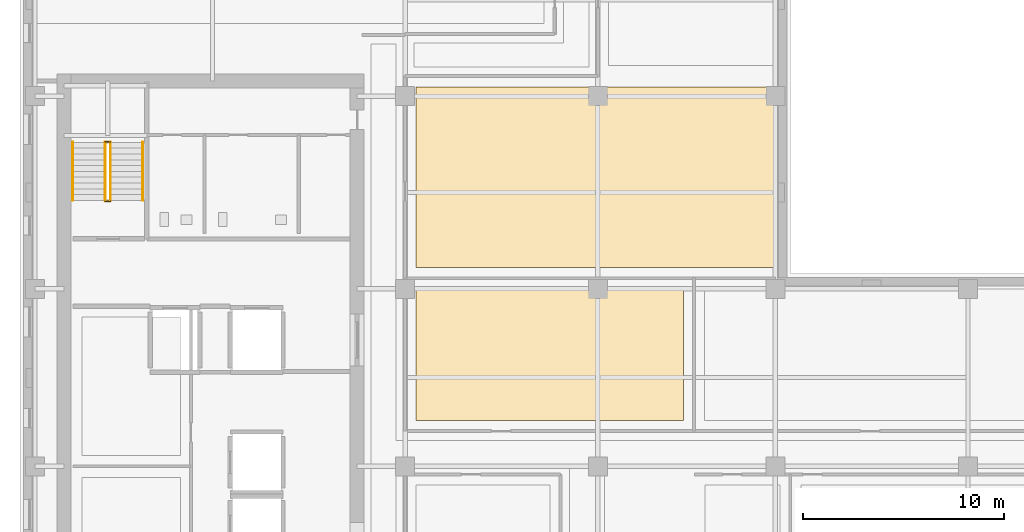
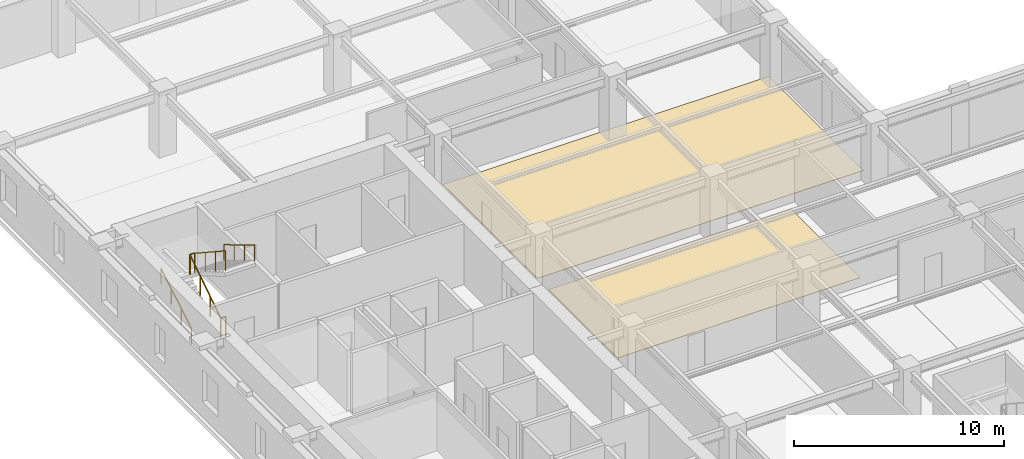
# One storey, part 10 of 12: 6 railings, 2 coverings.
"""IFC4 building model written with IfcOpenShell, lengths in metres."""

from ifc_helpers import new_model, si_unit, direction, frame, origin, origin_2d, place, context, subcontext, project, spatial, polyline, circle, outline, extrude, material, layer, layer_set, type_object, element, save


model = new_model("IFC4")

# Units and contexts
model_context = context("Model", 3, precision=1e-05, world=origin(), true_north=direction((0.0, 1.0)))
body_context = subcontext(model_context, "Body", "Model", "MODEL_VIEW")
ifc_project = project(units=[si_unit("LENGTHUNIT", "METRE"), si_unit("AREAUNIT", "SQUARE_METRE"), si_unit("VOLUMEUNIT", "CUBIC_METRE"), si_unit("PLANEANGLEUNIT", "RADIAN"), si_unit("MASSUNIT", "GRAM", prefix="KILO")], contexts=[model_context])

# Site, building, storey
site_placement = place(None, origin())
site = spatial("IfcSite", under=ifc_project, at=site_placement, CompositionType="ELEMENT")
building_placement = place(site_placement, origin())
building = spatial("IfcBuilding", under=site, at=building_placement, Name="Norrvale University Quadrangle", CompositionType="ELEMENT")
storey_placement = place(building_placement, frame((0.0, 0.0, 186.39990234375)))
storey = spatial("IfcBuildingStorey", under=building, at=storey_placement, Name="L47", CompositionType="ELEMENT", Elevation=186.39990234375)

# Coverings
ifc_material_1 = material(Name="Polished Terrazzo Flooring")
ifc_layer = layer(ifc_material_1, 0.02490234375, Name="Polished Terrazzo Flooring")
ifc_layer_set = layer_set([ifc_layer], Name="Polished Terrazzo Flooring")
covering_type = type_object("IfcCoveringType", Name="Covering Terrazzo Floor 30", PredefinedType="FLOORING", material=ifc_layer_set)
covering_1_placement = place(storey_placement, origin())
element("IfcCovering", 1, at=covering_1_placement, inside=storey, type_object=covering_type, Name="Terrazzo Flooring RM-L47-ME01", PredefinedType="FLOORING", context=body_context, shape_type="SweptSolid", body=[
    extrude(outline(polyline([(19.72998046875, 37.64990234375), (33.070068359375, 37.64990234375), (33.070068359375, 31.080078125), (19.72998046875, 31.080078125), (19.72998046875, 37.64990234375)])), origin(), (0.0, 0.0, 1.0), 0.025146484375),
])
covering_2_placement = place(storey_placement, origin())
element("IfcCovering", 2, at=covering_2_placement, inside=storey, type_object=covering_type, Name="Terrazzo Flooring RM-L47-MNE01", PredefinedType="FLOORING", context=body_context, shape_type="SweptSolid", body=[
    extrude(outline(polyline([(19.72998046875, 47.719970703125), (37.64990234375, 47.719970703125), (37.64990234375, 38.7099609375), (19.72998046875, 38.7099609375), (19.72998046875, 47.719970703125)])), origin(), (0.0, 0.0, 1.0), 0.025146484375),
])

# Railings
ifc_material_2 = material(Name="Steel 350W Painted Balustrade", Category="steel")
railing_type_1 = type_object("IfcRailingType", Name="Railing Stair Guard 1100", PredefinedType="GUARDRAIL", material=ifc_material_2)
for number, where, name in (
    (3, (4.239990234375, 42.02001953125, 0.0), "Stair Floor Well Guard ST-02 L47"),
    (4, (4.239990234375, 44.97998046875, 1.900146484375), "Stair Mid-Landing Slot Guard ST-02 L47"),
):
    element("IfcRailing", number, at=place(storey_placement, frame(where)), inside=storey, type_object=railing_type_1, Name=name, PredefinedType="GUARDRAIL", context=body_context, shape_type="SweptSolid", body=[
        extrude(circle(Radius=0.02392578125, at=origin_2d()), frame((0.0, 0.0, 1.1259765625), z_axis=(1.0, 0.0, 0.0), x_axis=(0.0, 1.0, 0.0)), (0.0, 0.0, 1.0), 0.27001953125),
        extrude(circle(Radius=0.02099609375, at=origin_2d()), origin(), (0.0, 0.0, 1.0), 1.101806640625),
        extrude(circle(Radius=0.02099609375, at=origin_2d()), frame((0.27001953125, 0.0, 0.0)), (0.0, 0.0, 1.0), 1.101806640625),
    ])
railing_1_placement = place(storey_placement, frame((4.239990234375, 42.050048828125, 0.0)))
element("IfcRailing", 5, at=railing_1_placement, inside=storey, type_object=railing_type_1, Name="Stair Lower Flight Inner Guard ST-02 L47", PredefinedType="GUARDRAIL", context=body_context, shape_type="SweptSolid", body=[
    extrude(circle(Radius=0.02392578125, at=origin_2d()), frame((0.0, 0.0, 1.1259765625), z_axis=(0.0, 0.836433300813, 0.548068730445), x_axis=(-1.0, 0.0, 0.0)), (0.0, 0.0, 1.0), 3.467041015625),
    extrude(circle(Radius=0.02099609375, at=origin_2d()), origin(), (0.0, 0.0, 1.0), 1.101806640625),
    extrude(circle(Radius=0.02099609375, at=origin_2d()), frame((0.0, 0.966552734375, 0.63330078125)), (0.0, 0.0, 1.0), 1.101806640625),
    extrude(circle(Radius=0.02099609375, at=origin_2d()), frame((0.0, 1.933349609375, 1.266845703125)), (0.0, 0.0, 1.0), 1.101806640625),
    extrude(circle(Radius=0.02099609375, at=origin_2d()), frame((0.0, 2.89990234375, 1.900146484375)), (0.0, 0.0, 1.0), 1.101806640625),
])
railing_2_placement = place(storey_placement, frame((4.510009765625, 44.949951171875, 1.900146484375)))
element("IfcRailing", 6, at=railing_2_placement, inside=storey, type_object=railing_type_1, Name="Stair Upper Flight Inner Guard ST-02 L47", PredefinedType="GUARDRAIL", context=body_context, shape_type="SweptSolid", body=[
    extrude(circle(Radius=0.02392578125, at=origin_2d()), frame((0.0, 0.0, 1.1259765625), z_axis=(0.0, -0.836465582154, 0.548019461216), x_axis=(1.0, 0.0, 0.0)), (0.0, 0.0, 1.0), 3.466796875),
    extrude(circle(Radius=0.02099609375, at=origin_2d()), origin(), (0.0, 0.0, 1.0), 1.101806640625),
    extrude(circle(Radius=0.02099609375, at=origin_2d()), frame((0.0, -0.966552734375, 0.63330078125)), (0.0, 0.0, 1.0), 1.101806640625),
    extrude(circle(Radius=0.02099609375, at=origin_2d()), frame((0.0, -1.933349609375, 1.2666015625)), (0.0, 0.0, 1.0), 1.101806640625),
    extrude(circle(Radius=0.02099609375, at=origin_2d()), frame((0.0, -2.89990234375, 1.89990234375)), (0.0, 0.0, 1.0), 1.101806640625),
])
ifc_material_3 = material(Name="Stainless Steel 316L Handrail", Category="steel")
railing_type_2 = type_object("IfcRailingType", Name="Railing Stair Handrail 920", PredefinedType="HANDRAIL", material=ifc_material_3)
railing_3_placement = place(storey_placement, frame((2.639892578125, 42.050048828125, 0.1728515625)))
element("IfcRailing", 7, at=railing_3_placement, inside=storey, type_object=railing_type_2, Name="Stair Lower Flight Handrail ST-02 L47", PredefinedType="HANDRAIL", context=body_context, shape_type="SweptSolid", body=[
    extrude(circle(Radius=0.02392578125, at=origin_2d()), frame((0.0, 0.0, 0.89599609375), z_axis=(0.0, 0.859141464434, 0.511738159696), x_axis=(-1.0, 0.0, 0.0)), (0.0, 0.0, 1.0), 3.375244140625),
    extrude(circle(Radius=0.02099609375, at=origin_2d()), origin(), (0.0, 0.0, 1.0), 0.871826171875),
    extrude(circle(Radius=0.02099609375, at=origin_2d()), frame((0.0, 0.966552734375, 0.57568359375)), (0.0, 0.0, 1.0), 0.871826171875),
    extrude(circle(Radius=0.02099609375, at=origin_2d()), frame((0.0, 1.933349609375, 1.151611328125)), (0.0, 0.0, 1.0), 0.871826171875),
    extrude(circle(Radius=0.02099609375, at=origin_2d()), frame((0.0, 2.89990234375, 1.727294921875)), (0.0, 0.0, 1.0), 0.871826171875),
])
railing_4_placement = place(storey_placement, frame((6.110107421875, 44.949951171875, 2.07275390625)))
element("IfcRailing", 8, at=railing_4_placement, inside=storey, type_object=railing_type_2, Name="Stair Upper Flight Handrail ST-02 L47", PredefinedType="HANDRAIL", context=body_context, shape_type="SweptSolid", body=[
    extrude(circle(Radius=0.02392578125, at=origin_2d()), frame((0.0, 0.0, 0.89599609375), z_axis=(0.0, -0.859141464434, 0.511738159696), x_axis=(1.0, 0.0, 0.0)), (0.0, 0.0, 1.0), 3.375244140625),
    extrude(circle(Radius=0.02099609375, at=origin_2d()), origin(), (0.0, 0.0, 1.0), 0.871826171875),
    extrude(circle(Radius=0.02099609375, at=origin_2d()), frame((0.0, -0.966552734375, 0.57568359375)), (0.0, 0.0, 1.0), 0.871826171875),
    extrude(circle(Radius=0.02099609375, at=origin_2d()), frame((0.0, -1.933349609375, 1.151611328125)), (0.0, 0.0, 1.0), 0.871826171875),
    extrude(circle(Radius=0.02099609375, at=origin_2d()), frame((0.0, -2.89990234375, 1.727294921875)), (0.0, 0.0, 1.0), 0.871826171875),
])

save(model, "model.ifc")
